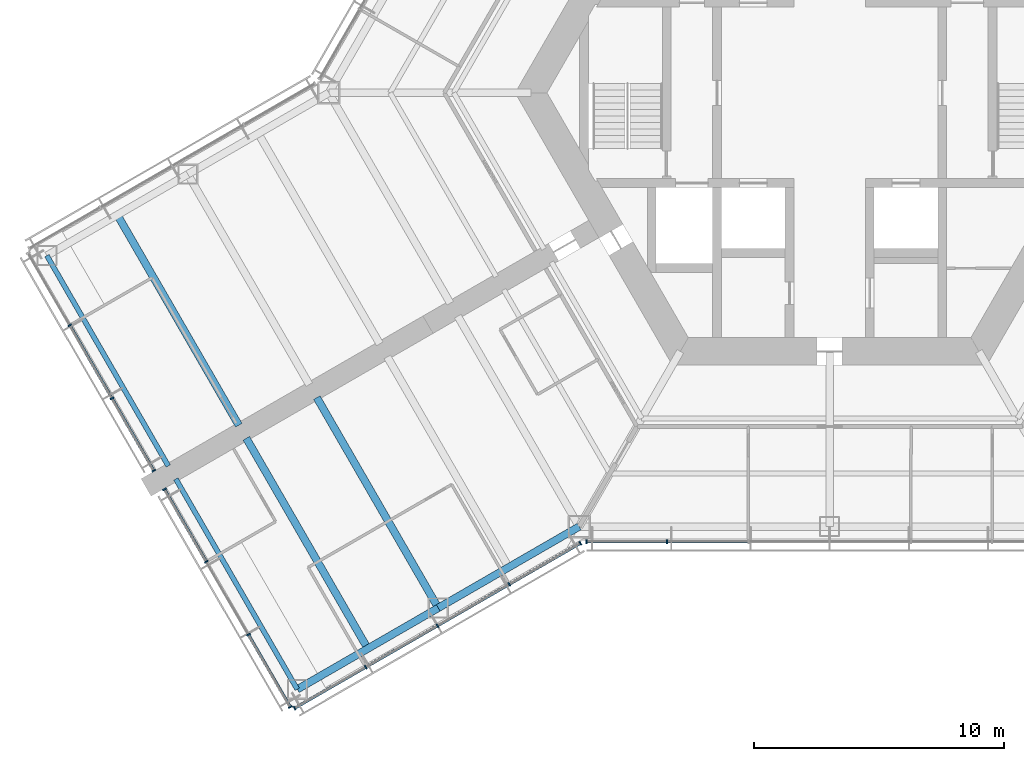
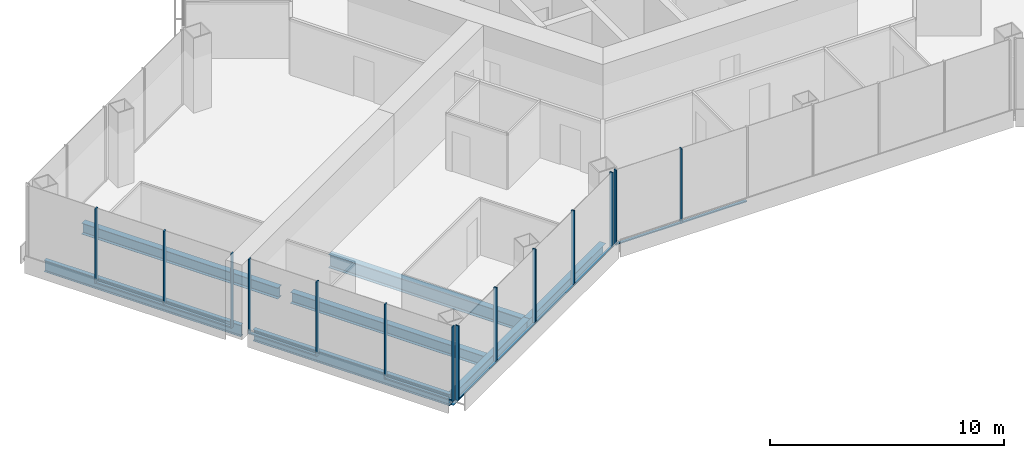
# One storey, part 2 of 19: 24 members, 7 beams, 4 elements without a shape of their own.
"""IFC4 building model written with IfcOpenShell, lengths in metres."""

from ifc_helpers import new_model, si_unit, direction, frame, origin, origin_2d, place, context, subcontext, project, spatial, rectangle, i_section, extrude, material, material_profile, profile_set, type_object, element, aggregate, save


model = new_model("IFC4")

# Units and contexts
model_context = context("Model", 3, precision=1e-05, world=origin(), true_north=direction((0.0, 1.0)))
body_context = subcontext(model_context, "Body", "Model", "MODEL_VIEW")
ifc_project = project(units=[si_unit("LENGTHUNIT", "METRE"), si_unit("AREAUNIT", "SQUARE_METRE"), si_unit("VOLUMEUNIT", "CUBIC_METRE"), si_unit("PLANEANGLEUNIT", "RADIAN"), si_unit("MASSUNIT", "GRAM", prefix="KILO")], contexts=[model_context])

# Site, building, storey
site_placement = place(None, origin())
site = spatial("IfcSite", under=ifc_project, at=site_placement, CompositionType="ELEMENT")
building_placement = place(site_placement, origin())
building = spatial("IfcBuilding", under=site, at=building_placement, Name="Kasaneha Research Tower", CompositionType="ELEMENT")
storey_placement = place(building_placement, frame((0.0, 0.0, 92.39990234375)))
storey = spatial("IfcBuildingStorey", under=building, at=storey_placement, Name="L23", CompositionType="ELEMENT", Elevation=92.39990234375)

# Beams
ifc_material_1 = material(Name="Steel SN490B", Category="steel")
ifc_material_profile_1 = material_profile(ifc_material_1, i_section(OverallWidth=0.300048828125, OverallDepth=0.58203125, WebThickness=0.011962890625, FlangeThickness=0.01708984375, FilletRadius=0.012939453125, at=origin_2d()), Name="H-582x300x12x17")
ifc_profile_set_1 = profile_set([ifc_material_profile_1], Name="Steel SN490B")
beam_type_1 = type_object("IfcBeamType", Name="B2-3 secondary beam H-582x300x12x17", PredefinedType="JOIST", material=ifc_profile_set_1)
for number, where, z_axis, x_axis, name in (
    (1, (-28.44384765625, -4.875, -0.44091796875), (0.500010041276, -0.866019606374, 0.0), (0.866019606374, 0.500010041276, 0.0), "Secondary beam WBBP2 L23"),
    (2, (-18.44384765625, -22.195556640625, -0.44091796875), (-0.499991164321, 0.866030505006, 0.0), (-0.866030505006, -0.499991164321, 0.0), "Secondary beam WBBN2 L23"),
):
    element("IfcBeam", number, at=place(storey_placement, frame(where, z_axis=z_axis, x_axis=x_axis)), inside=storey, type_object=beam_type_1, Name=name, PredefinedType="JOIST", context=body_context, shape_type="SweptSolid", body=[
        extrude(i_section(OverallWidth=0.300048828125, OverallDepth=0.58203125, WebThickness=0.011962890625, FlangeThickness=0.01708984375, FilletRadius=0.012939453125, at=origin_2d()), origin(), (0.0, 0.0, 1.0), 9.699951171875),
    ])

# Curtain wall, members
ifc_material_2 = material(Name="Glass and aluminium", Category="aluminium")
curtain_wall_type = type_object("IfcCurtainWallType", Name="Low-rise office curtain wall", PredefinedType="USERDEFINED", material=ifc_material_2)
curtain_wall_1_placement = place(storey_placement, origin())
curtain_wall_1 = element("IfcCurtainWall", 3, at=curtain_wall_1_placement, inside=storey, type_object=curtain_wall_type, Name="CW-O1 L23 run 01a", ObjectType="UNITISED CURTAIN WALL", PredefinedType="USERDEFINED")
ifc_material_3 = material(Name="Aluminium 6063-T6", Category="aluminium")
ifc_material_profile_2 = material_profile(ifc_material_3, rectangle(XDim=0.06005859375, YDim=0.159912109375, at=origin_2d()), Name="CW-O1 mullion 60x160")
ifc_profile_set_2 = profile_set([ifc_material_profile_2], Name="Aluminium 6063-T6")
member_type_1 = type_object("IfcMemberType", Name="CW-O1 mullion", PredefinedType="MULLION", material=ifc_profile_set_2)
member_1_placement = place(storey_placement, frame((-21.365478515625, -24.5751953125, 0.0), z_axis=(0.0, 0.0, 1.0), x_axis=(0.866025411464, 0.499999986699, 0.0)))
member_1 = element("IfcMember", 4, at=member_1_placement, type_object=member_type_1, Name="CW-O1 mullion 1", PredefinedType="MULLION", context=body_context, shape_type="SweptSolid", body=[
    extrude(rectangle(XDim=0.06005859375, YDim=0.159912109375, at=origin_2d()), origin(), (0.0, 0.0, 1.0), 3.900146484375),
])
member_2_placement = place(storey_placement, frame((-18.52490234375, -22.935302734375, 0.0), z_axis=(0.0, 0.0, 1.0), x_axis=(0.866025411464, 0.499999986699, 0.0)))
member_2 = element("IfcMember", 5, at=member_2_placement, type_object=member_type_1, Name="CW-O1 mullion 2", PredefinedType="MULLION", context=body_context, shape_type="SweptSolid", body=[
    extrude(rectangle(XDim=0.06005859375, YDim=0.159912109375, at=origin_2d()), origin(), (0.0, 0.0, 1.0), 3.900146484375),
])
member_3_placement = place(storey_placement, frame((-15.65869140625, -21.2802734375, 0.0), z_axis=(0.0, 0.0, 1.0), x_axis=(0.866025411464, 0.499999986699, 0.0)))
member_3 = element("IfcMember", 6, at=member_3_placement, type_object=member_type_1, Name="CW-O1 mullion 3", PredefinedType="MULLION", context=body_context, shape_type="SweptSolid", body=[
    extrude(rectangle(XDim=0.06005859375, YDim=0.159912109375, at=origin_2d()), origin(), (0.0, 0.0, 1.0), 3.900146484375),
])
member_4_placement = place(storey_placement, frame((-12.792236328125, -19.62548828125, 0.0), z_axis=(0.0, 0.0, 1.0), x_axis=(0.866025411464, 0.499999986699, 0.0)))
member_4 = element("IfcMember", 7, at=member_4_placement, type_object=member_type_1, Name="CW-O1 mullion 4", PredefinedType="MULLION", context=body_context, shape_type="SweptSolid", body=[
    extrude(rectangle(XDim=0.06005859375, YDim=0.159912109375, at=origin_2d()), origin(), (0.0, 0.0, 1.0), 3.900146484375),
])
member_5_placement = place(storey_placement, frame((-9.951904296875, -17.985595703125, 0.0), z_axis=(0.0, 0.0, 1.0), x_axis=(0.866025411464, 0.499999986699, 0.0)))
member_5 = element("IfcMember", 8, at=member_5_placement, type_object=member_type_1, Name="CW-O1 mullion 5", PredefinedType="MULLION", context=body_context, shape_type="SweptSolid", body=[
    extrude(rectangle(XDim=0.06005859375, YDim=0.159912109375, at=origin_2d()), origin(), (0.0, 0.0, 1.0), 3.900146484375),
])

curtain_wall_2_placement = place(storey_placement, origin())
curtain_wall_2 = element("IfcCurtainWall", 9, at=curtain_wall_2_placement, inside=storey, type_object=curtain_wall_type, Name="CW-O1 L23 run 02a", ObjectType="UNITISED CURTAIN WALL", PredefinedType="USERDEFINED")
member_6_placement = place(storey_placement, frame((-9.709228515625, -17.92041015625, 0.0), z_axis=(0.0, 0.0, 1.0), x_axis=(1.0, 0.0, 0.0)))
member_6 = element("IfcMember", 10, at=member_6_placement, type_object=member_type_1, Name="CW-O1 mullion 1", PredefinedType="MULLION", context=body_context, shape_type="SweptSolid", body=[
    extrude(rectangle(XDim=0.06005859375, YDim=0.159912109375, at=origin_2d()), origin(), (0.0, 0.0, 1.0), 3.900146484375),
])
member_7_placement = place(storey_placement, frame((-6.492919921875, -17.92041015625, 0.0), z_axis=(0.0, 0.0, 1.0), x_axis=(1.0, 0.0, 0.0)))
member_7 = element("IfcMember", 11, at=member_7_placement, type_object=member_type_1, Name="CW-O1 mullion 2", PredefinedType="MULLION", context=body_context, shape_type="SweptSolid", body=[
    extrude(rectangle(XDim=0.06005859375, YDim=0.159912109375, at=origin_2d()), origin(), (0.0, 0.0, 1.0), 3.900146484375),
])

curtain_wall_3_placement = place(storey_placement, origin())
curtain_wall_3 = element("IfcCurtainWall", 12, at=curtain_wall_3_placement, inside=storey, type_object=curtain_wall_type, Name="CW-O1 L23 run 14a", ObjectType="UNITISED CURTAIN WALL", PredefinedType="USERDEFINED")
member_8_placement = place(storey_placement, frame((-30.3447265625, -9.28271484375, 0.0), z_axis=(0.0, 0.0, 1.0), x_axis=(0.500000011442, -0.866025397178, 0.0)))
member_8 = element("IfcMember", 13, at=member_8_placement, type_object=member_type_1, Name="CW-O1 mullion 2", PredefinedType="MULLION", context=body_context, shape_type="SweptSolid", body=[
    extrude(rectangle(XDim=0.06005859375, YDim=0.159912109375, at=origin_2d()), origin(), (0.0, 0.0, 1.0), 3.900146484375),
])
member_9_placement = place(storey_placement, frame((-28.661376953125, -12.1982421875, 0.0), z_axis=(0.0, 0.0, 1.0), x_axis=(0.500000011442, -0.866025397178, 0.0)))
member_9 = element("IfcMember", 14, at=member_9_placement, type_object=member_type_1, Name="CW-O1 mullion 3", PredefinedType="MULLION", context=body_context, shape_type="SweptSolid", body=[
    extrude(rectangle(XDim=0.06005859375, YDim=0.159912109375, at=origin_2d()), origin(), (0.0, 0.0, 1.0), 3.900146484375),
])
member_10_placement = place(storey_placement, frame((-26.992919921875, -15.087890625, 0.0), z_axis=(0.0, 0.0, 1.0), x_axis=(0.500000011442, -0.866025397178, 0.0)))
member_10 = element("IfcMember", 15, at=member_10_placement, type_object=member_type_1, Name="CW-O1 mullion 4", PredefinedType="MULLION", context=body_context, shape_type="SweptSolid", body=[
    extrude(rectangle(XDim=0.06005859375, YDim=0.159912109375, at=origin_2d()), origin(), (0.0, 0.0, 1.0), 3.900146484375),
])

curtain_wall_4_placement = place(storey_placement, origin())
curtain_wall_4 = element("IfcCurtainWall", 16, at=curtain_wall_4_placement, inside=storey, type_object=curtain_wall_type, Name="CW-O1 L23 run 15a", ObjectType="UNITISED CURTAIN WALL", PredefinedType="USERDEFINED")
member_11_placement = place(storey_placement, frame((-26.56298828125, -15.832763671875, 0.0), z_axis=(0.0, 0.0, 1.0), x_axis=(0.500000011442, -0.866025397178, 0.0)))
member_11 = element("IfcMember", 17, at=member_11_placement, type_object=member_type_1, Name="CW-O1 mullion 1", PredefinedType="MULLION", context=body_context, shape_type="SweptSolid", body=[
    extrude(rectangle(XDim=0.06005859375, YDim=0.159912109375, at=origin_2d()), origin(), (0.0, 0.0, 1.0), 3.900146484375),
])
member_12_placement = place(storey_placement, frame((-24.89453125, -18.72216796875, 0.0), z_axis=(0.0, 0.0, 1.0), x_axis=(0.500000011442, -0.866025397178, 0.0)))
member_12 = element("IfcMember", 18, at=member_12_placement, type_object=member_type_1, Name="CW-O1 mullion 2", PredefinedType="MULLION", context=body_context, shape_type="SweptSolid", body=[
    extrude(rectangle(XDim=0.06005859375, YDim=0.159912109375, at=origin_2d()), origin(), (0.0, 0.0, 1.0), 3.900146484375),
])
member_13_placement = place(storey_placement, frame((-23.211181640625, -21.637939453125, 0.0), z_axis=(0.0, 0.0, 1.0), x_axis=(0.500000011442, -0.866025397178, 0.0)))
member_13 = element("IfcMember", 19, at=member_13_placement, type_object=member_type_1, Name="CW-O1 mullion 3", PredefinedType="MULLION", context=body_context, shape_type="SweptSolid", body=[
    extrude(rectangle(XDim=0.06005859375, YDim=0.159912109375, at=origin_2d()), origin(), (0.0, 0.0, 1.0), 3.900146484375),
])
member_14_placement = place(storey_placement, frame((-21.54296875, -24.527587890625, 0.0), z_axis=(0.0, 0.0, 1.0), x_axis=(0.500000011442, -0.866025397178, 0.0)))
member_14 = element("IfcMember", 20, at=member_14_placement, type_object=member_type_1, Name="CW-O1 mullion 4", PredefinedType="MULLION", context=body_context, shape_type="SweptSolid", body=[
    extrude(rectangle(XDim=0.06005859375, YDim=0.159912109375, at=origin_2d()), origin(), (0.0, 0.0, 1.0), 3.900146484375),
])

# Member
ifc_material_4 = material(Name="Aluminium 6063-T6", Category="aluminium")
ifc_material_profile_3 = material_profile(ifc_material_4, rectangle(XDim=0.1201171875, YDim=0.06005859375, at=origin_2d()), Name="CW-O1 transom 120x60")
ifc_profile_set_3 = profile_set([ifc_material_profile_3], Name="Aluminium 6063-T6")
member_type_2 = type_object("IfcMemberType", Name="CW-O1 transom", PredefinedType="USERDEFINED", material=ifc_profile_set_3)
member_15_placement = place(storey_placement, frame((-21.33935546875, -24.56005859375, 0.030029296875), z_axis=(0.866022692473, 0.500004696101, 0.0), x_axis=(-0.500004696101, 0.866022692473, 0.0)))
member_15 = element("IfcMember", 21, at=member_15_placement, type_object=member_type_2, Name="CW-O1 transom 1", ObjectType="TRANSOM", PredefinedType="USERDEFINED", context=body_context, shape_type="SweptSolid", body=[
    extrude(rectangle(XDim=0.1201171875, YDim=0.06005859375, at=origin_2d()), origin(), (0.0, 0.0, 1.0), 3.2197265625),
])

member_16_placement = place(storey_placement, frame((-18.4990234375, -22.920166015625, 0.030029296875), z_axis=(0.86604797581, 0.499960902066, 0.0), x_axis=(-0.499960902066, 0.86604797581, 0.0)))
member_16 = element("IfcMember", 22, at=member_16_placement, type_object=member_type_2, Name="CW-O1 transom 2", ObjectType="TRANSOM", PredefinedType="USERDEFINED", context=body_context, shape_type="SweptSolid", body=[
    extrude(rectangle(XDim=0.1201171875, YDim=0.06005859375, at=origin_2d()), origin(), (0.0, 0.0, 1.0), 3.249755859375),
])

member_17_placement = place(storey_placement, frame((-15.632568359375, -21.265380859375, 0.030029296875), z_axis=(0.866015446554, 0.500017246033, 0.0), x_axis=(-0.500017246033, 0.866015446554, 0.0)))
member_17 = element("IfcMember", 23, at=member_17_placement, type_object=member_type_2, Name="CW-O1 transom 3", ObjectType="TRANSOM", PredefinedType="USERDEFINED", context=body_context, shape_type="SweptSolid", body=[
    extrude(rectangle(XDim=0.1201171875, YDim=0.06005859375, at=origin_2d()), origin(), (0.0, 0.0, 1.0), 3.25),
])

member_18_placement = place(storey_placement, frame((-12.76611328125, -19.6103515625, 0.030029296875), z_axis=(0.866022692473, 0.500004696101, 0.0), x_axis=(-0.500004696101, 0.866022692473, 0.0)))
member_18 = element("IfcMember", 24, at=member_18_placement, type_object=member_type_2, Name="CW-O1 transom 4", ObjectType="TRANSOM", PredefinedType="USERDEFINED", context=body_context, shape_type="SweptSolid", body=[
    extrude(rectangle(XDim=0.1201171875, YDim=0.06005859375, at=origin_2d()), origin(), (0.0, 0.0, 1.0), 3.2197265625),
])

aggregate(curtain_wall_1, [member_1, member_2, member_3, member_4, member_5, member_15, member_16, member_17, member_18])

member_19_placement = place(storey_placement, frame((-9.67919921875, -17.92041015625, 0.030029296875), z_axis=(1.0, 0.0, 0.0), x_axis=(0.0, 1.0, 0.0)))
member_19 = element("IfcMember", 25, at=member_19_placement, type_object=member_type_2, Name="CW-O1 transom 1", ObjectType="TRANSOM", PredefinedType="USERDEFINED", context=body_context, shape_type="SweptSolid", body=[
    extrude(rectangle(XDim=0.1201171875, YDim=0.06005859375, at=origin_2d()), origin(), (0.0, 0.0, 1.0), 3.156494140625),
])

member_20_placement = place(storey_placement, frame((-6.462890625, -17.92041015625, 0.030029296875), z_axis=(1.0, 0.0, 0.0), x_axis=(0.0, 1.0, 0.0)))
member_20 = element("IfcMember", 26, at=member_20_placement, type_object=member_type_2, Name="CW-O1 transom 2", ObjectType="TRANSOM", PredefinedType="USERDEFINED", context=body_context, shape_type="SweptSolid", body=[
    extrude(rectangle(XDim=0.1201171875, YDim=0.06005859375, at=origin_2d()), origin(), (0.0, 0.0, 1.0), 3.1865234375),
])

aggregate(curtain_wall_2, [member_6, member_7, member_19, member_20])

member_21_placement = place(storey_placement, frame((-30.32958984375, -9.30859375, 0.030029296875), z_axis=(0.499982354831, -0.866035590988, 0.0), x_axis=(0.866035590988, 0.499982354831, 0.0)))
member_21 = element("IfcMember", 27, at=member_21_placement, type_object=member_type_2, Name="CW-O1 transom 2", ObjectType="TRANSOM", PredefinedType="USERDEFINED", context=body_context, shape_type="SweptSolid", body=[
    extrude(rectangle(XDim=0.1201171875, YDim=0.06005859375, at=origin_2d()), origin(), (0.0, 0.0, 1.0), 3.306640625),
])

member_22_placement = place(storey_placement, frame((-28.646240234375, -12.22412109375, 0.030029296875), z_axis=(0.499969700927, -0.866042896256, 0.0), x_axis=(0.866042896256, 0.499969700927, 0.0)))
member_22 = element("IfcMember", 28, at=member_22_placement, type_object=member_type_2, Name="CW-O1 transom 3", ObjectType="TRANSOM", PredefinedType="USERDEFINED", context=body_context, shape_type="SweptSolid", body=[
    extrude(rectangle(XDim=0.1201171875, YDim=0.06005859375, at=origin_2d()), origin(), (0.0, 0.0, 1.0), 3.276611328125),
])

aggregate(curtain_wall_3, [member_8, member_9, member_10, member_21, member_22])

member_23_placement = place(storey_placement, frame((-26.5478515625, -15.858642578125, 0.030029296875), z_axis=(0.499969700927, -0.866042896256, 0.0), x_axis=(0.866042896256, 0.499969700927, 0.0)))
member_23 = element("IfcMember", 29, at=member_23_placement, type_object=member_type_2, Name="CW-O1 transom 1", ObjectType="TRANSOM", PredefinedType="USERDEFINED", context=body_context, shape_type="SweptSolid", body=[
    extrude(rectangle(XDim=0.1201171875, YDim=0.06005859375, at=origin_2d()), origin(), (0.0, 0.0, 1.0), 3.276611328125),
])

member_24_placement = place(storey_placement, frame((-23.1962890625, -21.663818359375, 0.030029296875), z_axis=(0.500025583411, -0.866010632691, 0.0), x_axis=(0.866010632691, 0.500025583411, 0.0)))
member_24 = element("IfcMember", 30, at=member_24_placement, type_object=member_type_2, Name="CW-O1 transom 3", ObjectType="TRANSOM", PredefinedType="USERDEFINED", context=body_context, shape_type="SweptSolid", body=[
    extrude(rectangle(XDim=0.1201171875, YDim=0.06005859375, at=origin_2d()), origin(), (0.0, 0.0, 1.0), 3.276611328125),
])

aggregate(curtain_wall_4, [member_11, member_12, member_13, member_14, member_23, member_24])

# Beams
ifc_material_5 = material(Name="Steel SN490B", Category="steel")
ifc_material_profile_4 = material_profile(ifc_material_5, i_section(OverallWidth=0.300048828125, OverallDepth=0.699951171875, WebThickness=0.012939453125, FlangeThickness=0.02392578125, FilletRadius=0.01806640625, at=origin_2d()), Name="H-700x300x13x24")
ifc_profile_set_4 = profile_set([ifc_material_profile_4], Name="Steel SN490B")
beam_type_2 = type_object("IfcBeamType", Name="G4-3 wing girder H-700x300x13x24", PredefinedType="BEAM", material=ifc_profile_set_4)
beam_placement = place(storey_placement, frame((-15.629150390625, -20.570556640625, -0.5), z_axis=(-0.500010041276, 0.866019606374, 0.0), x_axis=(-0.866019606374, -0.500010041276, 0.0)))
element("IfcBeam", 31, at=beam_placement, inside=storey, type_object=beam_type_2, Name="Wing girder WGBN L23", PredefinedType="BEAM", context=body_context, shape_type="SweptSolid", body=[
    extrude(i_section(OverallWidth=0.300048828125, OverallDepth=0.699951171875, WebThickness=0.012939453125, FlangeThickness=0.02392578125, FilletRadius=0.01806640625, at=origin_2d()), origin(), (0.0, 0.0, 1.0), 9.699951171875),
])
ifc_material_6 = material(Name="Steel SN490B", Category="steel")
ifc_material_profile_5 = material_profile(ifc_material_6, i_section(OverallWidth=0.300048828125, OverallDepth=0.58203125, WebThickness=0.011962890625, FlangeThickness=0.01708984375, FilletRadius=0.012939453125, at=origin_2d()), Name="H-582x300x12x17")
ifc_profile_set_5 = profile_set([ifc_material_profile_5], Name="Steel SN490B")
beam_type_3 = type_object("IfcBeamType", Name="SB2-3 spandrel beam H-582x300x12x17", PredefinedType="SPANDREL", material=ifc_profile_set_5)
for number, where, z_axis, x_axis, name in (
    (32, (-10.0, -17.320556640625, -0.44091796875), (-0.866024837091, -0.50000098154, 0.0), (0.50000098154, -0.866024837091, 0.0), "Spandrel beam WSBN1 L23"),
    (33, (-15.629150390625, -20.570556640625, -0.44091796875), (-0.866024837091, -0.50000098154, 0.0), (0.50000098154, -0.866024837091, 0.0), "Spandrel beam WSBN2 L23"),
):
    element("IfcBeam", number, at=place(storey_placement, frame(where, z_axis=z_axis, x_axis=x_axis)), inside=storey, type_object=beam_type_3, Name=name, PredefinedType="SPANDREL", context=body_context, shape_type="SweptSolid", body=[
        extrude(i_section(OverallWidth=0.300048828125, OverallDepth=0.58203125, WebThickness=0.011962890625, FlangeThickness=0.01708984375, FilletRadius=0.012939453125, at=origin_2d()), origin(), (0.0, 0.0, 1.0), 6.5),
    ])
ifc_material_7 = material(Name="Steel SN490B", Category="steel")
ifc_material_profile_6 = material_profile(ifc_material_7, i_section(OverallWidth=0.199951171875, OverallDepth=0.60009765625, WebThickness=0.010986328125, FlangeThickness=0.01708984375, FilletRadius=0.012939453125, at=origin_2d()), Name="H-600x200x11x17")
ifc_profile_set_6 = profile_set([ifc_material_profile_6], Name="Steel SN490B")
beam_type_4 = type_object("IfcBeamType", Name="SB3-3 spandrel beam H-600x200x11x17", PredefinedType="SPANDREL", material=ifc_profile_set_6)
for number, where, z_axis, x_axis, name in (
    (34, (-31.25830078125, -6.5, -0.449951171875), (0.499991164321, -0.866030505006, 0.0), (0.866030505006, 0.499991164321, 0.0), "Spandrel beam WTBP L23"),
    (35, (-21.25830078125, -23.820556640625, -0.449951171875), (-0.500010041276, 0.866019606374, 0.0), (-0.866019606374, -0.500010041276, 0.0), "Spandrel beam WTBN L23"),
):
    element("IfcBeam", number, at=place(storey_placement, frame(where, z_axis=z_axis, x_axis=x_axis)), inside=storey, type_object=beam_type_4, Name=name, PredefinedType="SPANDREL", context=body_context, shape_type="SweptSolid", body=[
        extrude(i_section(OverallWidth=0.199951171875, OverallDepth=0.60009765625, WebThickness=0.010986328125, FlangeThickness=0.01708984375, FilletRadius=0.012939453125, at=origin_2d()), origin(), (0.0, 0.0, 1.0), 9.699951171875),
    ])

save(model, "model.ifc")
